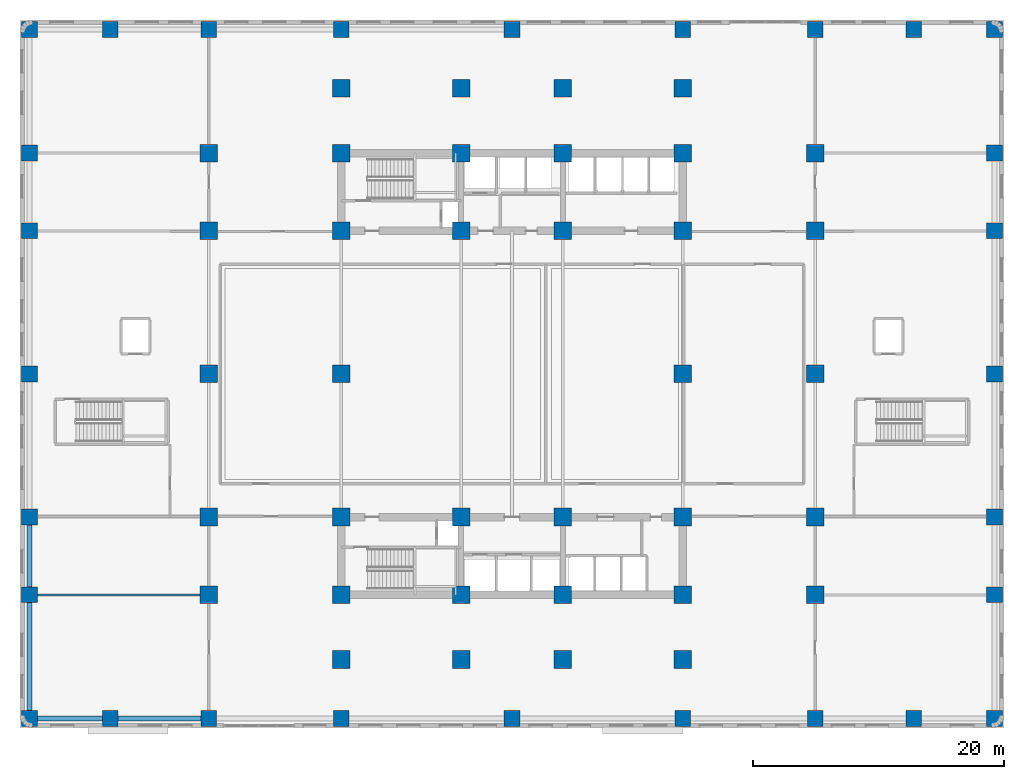
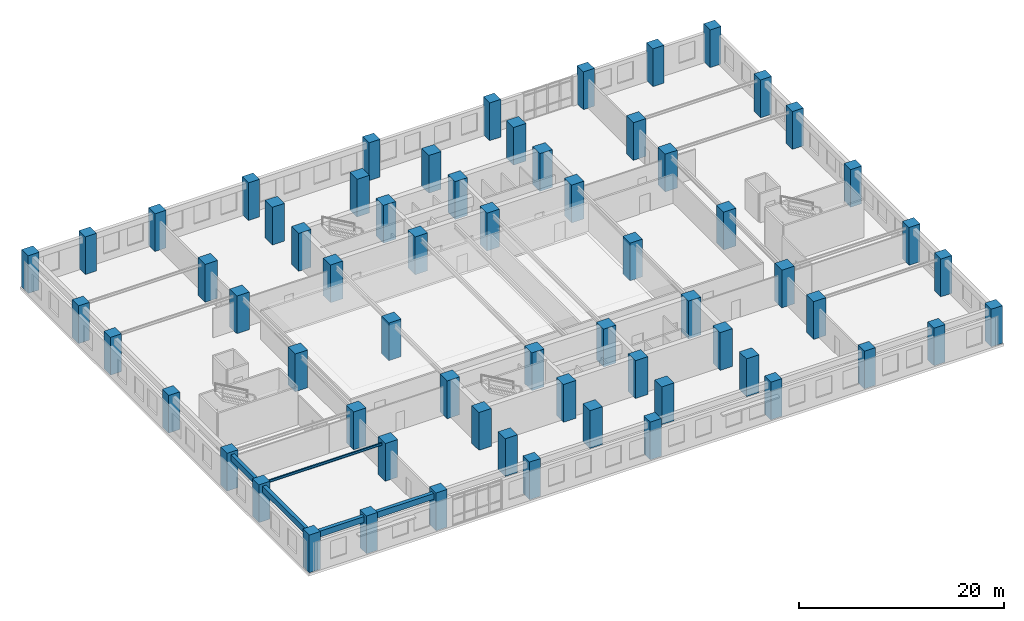
# One storey, part 1 of 16: 64 columns, 5 beams.
"""IFC4 building model written with IfcOpenShell, lengths in metres."""

from ifc_helpers import new_model, si_unit, direction, frame, origin, origin_2d, place, context, subcontext, project, spatial, rectangle, i_section, extrude, material, material_profile, profile_set, type_object, element, save


model = new_model("IFC4")

# Units and contexts
model_context = context("Model", 3, precision=1e-05, world=origin(), true_north=direction((0.0, 1.0)))
body_context = subcontext(model_context, "Body", "Model", "MODEL_VIEW")
ifc_project = project(units=[si_unit("LENGTHUNIT", "METRE"), si_unit("AREAUNIT", "SQUARE_METRE"), si_unit("VOLUMEUNIT", "CUBIC_METRE"), si_unit("PLANEANGLEUNIT", "RADIAN"), si_unit("MASSUNIT", "GRAM", prefix="KILO")], contexts=[model_context])

# Site, building, storey
site_placement = place(None, origin())
site = spatial("IfcSite", under=ifc_project, at=site_placement, CompositionType="ELEMENT")
building_placement = place(site_placement, origin())
building = spatial("IfcBuilding", under=site, at=building_placement, Name="Svetorya Sky Lyceum", CompositionType="ELEMENT")
storey_placement = place(building_placement, frame((0.0, 0.0, 11.10009765625)))
storey = spatial("IfcBuildingStorey", under=building, at=storey_placement, Name="L02", CompositionType="ELEMENT", Elevation=11.10009765625)

# Columns
ifc_material_1 = material(Name="Concrete C60/75", Category="concrete")
ifc_material_profile_1 = material_profile(ifc_material_1, rectangle(XDim=1.25, YDim=1.25, at=origin_2d()), Name="RC COL 1250x1250")
ifc_profile_set_1 = profile_set([ifc_material_profile_1], Name="Concrete C60/75")
column_type_1 = type_object("IfcColumnType", Name="COL-RC-1250", PredefinedType="COLUMN", material=ifc_profile_set_1)
for number, where, z_axis, x_axis, name in (
    (1, (0.75, 0.75, 0.0), (0.0, 0.0, 1.0), (1.0, 0.0, 0.0), "L02 Podium Column PC-0101"),
    (2, (0.75, 10.60009765625, 0.0), (0.0, 0.0, 1.0), (1.0, 0.0, 0.0), "L02 Podium Column PC-0102"),
    (3, (0.75, 16.800048828125, 0.0), (0.0, 0.0, 1.0), (1.0, 0.0, 0.0), "L02 Podium Column PC-0103"),
    (4, (0.75, 28.199951171875, 0.0), (0.0, 0.0, 1.0), (1.0, 0.0, 0.0), "L02 Podium Column PC-0104"),
    (5, (0.75, 39.60009765625, 0.0), (0.0, 0.0, 1.0), (1.0, 0.0, 0.0), "L02 Podium Column PC-0105"),
    (6, (0.75, 45.800048828125, 0.0), (0.0, 0.0, 1.0), (1.0, 0.0, 0.0), "L02 Podium Column PC-0106"),
    (7, (0.75, 55.64990234375, 0.0), (0.0, 0.0, 1.0), (1.0, 0.0, 0.0), "L02 Podium Column PC-0107"),
    (8, (7.199951171875, 0.75, 0.0), (0.0, 0.0, 1.0), (1.0, 0.0, 0.0), "L02 Podium Column PC-0201"),
    (9, (7.199951171875, 55.64990234375, 0.0), (0.0, 0.0, 1.0), (1.0, 0.0, 0.0), "L02 Podium Column PC-0207"),
    (10, (15.050048828125, 0.75, 0.0), (0.0, 0.0, 1.0), (1.0, 0.0, 0.0), "L02 Podium Column PC-0301"),
    (11, (15.050048828125, 55.64990234375, 0.0), (0.0, 0.0, 1.0), (1.0, 0.0, 0.0), "L02 Podium Column PC-0307"),
    (12, (25.60009765625, 0.75, 0.0), (0.0, 0.0, 1.0), (1.0, 0.0, 0.0), "L02 Podium Column PC-0401"),
    (13, (25.60009765625, 55.64990234375, 0.0), (0.0, 0.0, 1.0), (1.0, 0.0, 0.0), "L02 Podium Column PC-0407"),
    (14, (39.199951171875, 0.75, 0.0), (0.0, 0.0, 1.0), (1.0, 0.0, 0.0), "L02 Podium Column PC-0501"),
    (15, (39.199951171875, 55.64990234375, 0.0), (0.0, 0.0, 1.0), (1.0, 0.0, 0.0), "L02 Podium Column PC-0507"),
    (16, (52.800048828125, 0.75, 0.0), (0.0, 0.0, 1.0), (1.0, 0.0, 0.0), "L02 Podium Column PC-0601"),
    (17, (52.800048828125, 55.64990234375, 0.0), (0.0, 0.0, 1.0), (1.0, 0.0, 0.0), "L02 Podium Column PC-0607"),
    (18, (63.35009765625, 0.75, 0.0), (0.0, 0.0, 1.0), (1.0, 0.0, 0.0), "L02 Podium Column PC-0701"),
    (19, (63.35009765625, 55.64990234375, 0.0), (0.0, 0.0, 1.0), (1.0, 0.0, 0.0), "L02 Podium Column PC-0707"),
    (20, (71.199951171875, 0.75, 0.0), (0.0, 0.0, 1.0), (1.0, 0.0, 0.0), "L02 Podium Column PC-0801"),
    (21, (71.199951171875, 55.64990234375, 0.0), (0.0, 0.0, 1.0), (1.0, 0.0, 0.0), "L02 Podium Column PC-0807"),
    (22, (77.64990234375, 0.75, 0.0), (0.0, 0.0, 1.0), (1.0, 0.0, 0.0), "L02 Podium Column PC-0901"),
    (23, (77.64990234375, 10.60009765625, 0.0), (0.0, 0.0, 1.0), (1.0, 0.0, 0.0), "L02 Podium Column PC-0902"),
    (24, (77.64990234375, 16.800048828125, 0.0), (0.0, 0.0, 1.0), (1.0, 0.0, 0.0), "L02 Podium Column PC-0903"),
    (25, (77.64990234375, 28.199951171875, 0.0), (0.0, 0.0, 1.0), (1.0, 0.0, 0.0), "L02 Podium Column PC-0904"),
    (26, (77.64990234375, 39.60009765625, 0.0), (0.0, 0.0, 1.0), (1.0, 0.0, 0.0), "L02 Podium Column PC-0905"),
    (27, (77.64990234375, 45.800048828125, 0.0), (0.0, 0.0, 1.0), (1.0, 0.0, 0.0), "L02 Podium Column PC-0906"),
    (28, (77.64990234375, 55.64990234375, 0.0), (0.0, 0.0, 1.0), (1.0, 0.0, 0.0), "L02 Podium Column PC-0907"),
):
    element("IfcColumn", number, at=place(storey_placement, frame(where, z_axis=z_axis, x_axis=x_axis)), inside=storey, type_object=column_type_1, Name=name, PredefinedType="COLUMN", context=body_context, shape_type="SweptSolid", body=[
        extrude(rectangle(XDim=1.25, YDim=1.25, at=origin_2d()), origin(), (0.0, 0.0, 1.0), 4.5),
    ])
ifc_material_profile_2 = material_profile(ifc_material_1, rectangle(XDim=1.39990234375, YDim=1.39990234375, at=origin_2d()), Name="RC COL 1400x1400")
ifc_profile_set_2 = profile_set([ifc_material_profile_2], Name="Concrete C60/75")
column_type_2 = type_object("IfcColumnType", Name="COL-RC-1400", PredefinedType="COLUMN", material=ifc_profile_set_2)
for number, where, z_axis, x_axis, name in (
    (29, (25.60009765625, 10.60009765625, 0.0), (0.0, 0.0, 1.0), (1.0, 0.0, 0.0), "L02 Core Column CS-11"),
    (30, (25.60009765625, 16.800048828125, 0.0), (0.0, 0.0, 1.0), (1.0, 0.0, 0.0), "L02 Core Column CS-12"),
    (31, (35.14990234375, 10.60009765625, 0.0), (0.0, 0.0, 1.0), (1.0, 0.0, 0.0), "L02 Core Column CS-21"),
    (32, (35.14990234375, 16.800048828125, 0.0), (0.0, 0.0, 1.0), (1.0, 0.0, 0.0), "L02 Core Column CS-22"),
    (33, (43.25, 10.60009765625, 0.0), (0.0, 0.0, 1.0), (1.0, 0.0, 0.0), "L02 Core Column CS-31"),
    (34, (43.25, 16.800048828125, 0.0), (0.0, 0.0, 1.0), (1.0, 0.0, 0.0), "L02 Core Column CS-32"),
    (35, (52.800048828125, 10.60009765625, 0.0), (0.0, 0.0, 1.0), (1.0, 0.0, 0.0), "L02 Core Column CS-41"),
    (36, (52.800048828125, 16.800048828125, 0.0), (0.0, 0.0, 1.0), (1.0, 0.0, 0.0), "L02 Core Column CS-42"),
    (37, (25.60009765625, 39.60009765625, 0.0), (0.0, 0.0, 1.0), (1.0, 0.0, 0.0), "L02 Core Column CN-11"),
    (38, (25.60009765625, 45.800048828125, 0.0), (0.0, 0.0, 1.0), (1.0, 0.0, 0.0), "L02 Core Column CN-12"),
    (39, (35.14990234375, 39.60009765625, 0.0), (0.0, 0.0, 1.0), (1.0, 0.0, 0.0), "L02 Core Column CN-21"),
    (40, (35.14990234375, 45.800048828125, 0.0), (0.0, 0.0, 1.0), (1.0, 0.0, 0.0), "L02 Core Column CN-22"),
    (41, (43.25, 39.60009765625, 0.0), (0.0, 0.0, 1.0), (1.0, 0.0, 0.0), "L02 Core Column CN-31"),
    (42, (43.25, 45.800048828125, 0.0), (0.0, 0.0, 1.0), (1.0, 0.0, 0.0), "L02 Core Column CN-32"),
    (43, (52.800048828125, 39.60009765625, 0.0), (0.0, 0.0, 1.0), (1.0, 0.0, 0.0), "L02 Core Column CN-41"),
    (44, (52.800048828125, 45.800048828125, 0.0), (0.0, 0.0, 1.0), (1.0, 0.0, 0.0), "L02 Core Column CN-42"),
    (45, (25.60009765625, 28.199951171875, 0.0), (0.0, 0.0, 1.0), (1.0, 0.0, 0.0), "L02 Core Column CM-W"),
    (46, (52.800048828125, 28.199951171875, 0.0), (0.0, 0.0, 1.0), (1.0, 0.0, 0.0), "L02 Core Column CM-E"),
    (47, (25.60009765625, 5.449951171875, 0.0), (0.0, 0.0, 1.0), (1.0, 0.0, 0.0), "L02 Podium Tower-Line Column S1"),
    (48, (25.60009765625, 50.949951171875, 0.0), (0.0, 0.0, 1.0), (1.0, 0.0, 0.0), "L02 Podium Tower-Line Column N1"),
    (49, (35.14990234375, 5.449951171875, 0.0), (0.0, 0.0, 1.0), (1.0, 0.0, 0.0), "L02 Podium Tower-Line Column S2"),
    (50, (35.14990234375, 50.949951171875, 0.0), (0.0, 0.0, 1.0), (1.0, 0.0, 0.0), "L02 Podium Tower-Line Column N2"),
    (51, (43.25, 5.449951171875, 0.0), (0.0, 0.0, 1.0), (1.0, 0.0, 0.0), "L02 Podium Tower-Line Column S3"),
    (52, (43.25, 50.949951171875, 0.0), (0.0, 0.0, 1.0), (1.0, 0.0, 0.0), "L02 Podium Tower-Line Column N3"),
    (53, (52.800048828125, 5.449951171875, 0.0), (0.0, 0.0, 1.0), (1.0, 0.0, 0.0), "L02 Podium Tower-Line Column S4"),
    (54, (52.800048828125, 50.949951171875, 0.0), (0.0, 0.0, 1.0), (1.0, 0.0, 0.0), "L02 Podium Tower-Line Column N4"),
    (55, (15.050048828125, 10.60009765625, 0.0), (0.0, 0.0, 1.0), (1.0, 0.0, 0.0), "L02 Podium Tower-Line Column W1"),
    (56, (63.35009765625, 10.60009765625, 0.0), (0.0, 0.0, 1.0), (1.0, 0.0, 0.0), "L02 Podium Tower-Line Column E1"),
    (57, (15.050048828125, 16.800048828125, 0.0), (0.0, 0.0, 1.0), (1.0, 0.0, 0.0), "L02 Podium Tower-Line Column W2"),
    (58, (63.35009765625, 16.800048828125, 0.0), (0.0, 0.0, 1.0), (1.0, 0.0, 0.0), "L02 Podium Tower-Line Column E2"),
    (59, (15.050048828125, 28.199951171875, 0.0), (0.0, 0.0, 1.0), (1.0, 0.0, 0.0), "L02 Podium Tower-Line Column W3"),
    (60, (63.35009765625, 28.199951171875, 0.0), (0.0, 0.0, 1.0), (1.0, 0.0, 0.0), "L02 Podium Tower-Line Column E3"),
    (61, (15.050048828125, 39.60009765625, 0.0), (0.0, 0.0, 1.0), (1.0, 0.0, 0.0), "L02 Podium Tower-Line Column W4"),
    (62, (63.35009765625, 39.60009765625, 0.0), (0.0, 0.0, 1.0), (1.0, 0.0, 0.0), "L02 Podium Tower-Line Column E4"),
    (63, (15.050048828125, 45.800048828125, 0.0), (0.0, 0.0, 1.0), (1.0, 0.0, 0.0), "L02 Podium Tower-Line Column W5"),
    (64, (63.35009765625, 45.800048828125, 0.0), (0.0, 0.0, 1.0), (1.0, 0.0, 0.0), "L02 Podium Tower-Line Column E5"),
):
    element("IfcColumn", number, at=place(storey_placement, frame(where, z_axis=z_axis, x_axis=x_axis)), inside=storey, type_object=column_type_2, Name=name, PredefinedType="COLUMN", context=body_context, shape_type="SweptSolid", body=[
        extrude(rectangle(XDim=1.39990234375, YDim=1.39990234375, at=origin_2d()), origin(), (0.0, 0.0, 1.0), 4.5),
    ])

# Beams
ifc_material_2 = material(Name="Concrete C50/60", Category="concrete")
ifc_material_profile_3 = material_profile(ifc_material_2, rectangle(XDim=0.39990234375, YDim=0.699951171875, at=origin_2d()), Name="RC SPANDREL 400x700")
ifc_profile_set_3 = profile_set([ifc_material_profile_3], Name="Concrete C50/60")
beam_type_1 = type_object("IfcBeamType", Name="BM-SPN-700", PredefinedType="SPANDREL", material=ifc_profile_set_3)
beam_1_placement = place(storey_placement, frame((0.75, 0.75, 3.849853515625), z_axis=(1.0, 0.0, 0.0), x_axis=(0.0, 1.0, 0.0)))
element("IfcBeam", 65, at=beam_1_placement, inside=storey, type_object=beam_type_1, Name="L02 Podium South Spandrel 1", PredefinedType="SPANDREL", context=body_context, shape_type="SweptSolid", body=[
    extrude(rectangle(XDim=0.39990234375, YDim=0.699951171875, at=origin_2d()), origin(), (0.0, 0.0, 1.0), 6.449951171875),
])
beam_2_placement = place(storey_placement, frame((7.199951171875, 0.75, 3.849853515625), z_axis=(1.0, 0.0, 0.0), x_axis=(0.0, 1.0, 0.0)))
element("IfcBeam", 66, at=beam_2_placement, inside=storey, type_object=beam_type_1, Name="L02 Podium South Spandrel 2", PredefinedType="SPANDREL", context=body_context, shape_type="SweptSolid", body=[
    extrude(rectangle(XDim=0.39990234375, YDim=0.699951171875, at=origin_2d()), origin(), (0.0, 0.0, 1.0), 7.85009765625),
])
beam_3_placement = place(storey_placement, frame((0.75, 0.75, 3.849853515625), z_axis=(0.0, 1.0, 0.0), x_axis=(-1.0, 0.0, 0.0)))
element("IfcBeam", 67, at=beam_3_placement, inside=storey, type_object=beam_type_1, Name="L02 Podium West Spandrel 1", PredefinedType="SPANDREL", context=body_context, shape_type="SweptSolid", body=[
    extrude(rectangle(XDim=0.39990234375, YDim=0.699951171875, at=origin_2d()), origin(), (0.0, 0.0, 1.0), 9.85009765625),
])
beam_4_placement = place(storey_placement, frame((0.75, 10.60009765625, 3.849853515625), z_axis=(0.0, 1.0, 0.0), x_axis=(-1.0, 0.0, 0.0)))
element("IfcBeam", 68, at=beam_4_placement, inside=storey, type_object=beam_type_1, Name="L02 Podium West Spandrel 2", PredefinedType="SPANDREL", context=body_context, shape_type="SweptSolid", body=[
    extrude(rectangle(XDim=0.39990234375, YDim=0.699951171875, at=origin_2d()), origin(), (0.0, 0.0, 1.0), 6.199951171875),
])
ifc_material_3 = material(Name="Steel S355", Category="steel")
ifc_material_profile_4 = material_profile(ifc_material_3, i_section(OverallWidth=0.14990234375, OverallDepth=0.299072265625, WebThickness=0.006591796875, FlangeThickness=0.010498046875, at=origin_2d()), Name="GOST 30B2")
ifc_profile_set_4 = profile_set([ifc_material_profile_4], Name="Steel S355")
beam_type_2 = type_object("IfcBeamType", Name="BM-STL-30B2", PredefinedType="JOIST", material=ifc_profile_set_4)
beam_5_placement = place(storey_placement, frame((0.75, 10.60009765625, 4.05029296875), z_axis=(1.0, 0.0, 0.0), x_axis=(0.0, 1.0, 0.0)))
element("IfcBeam", 69, at=beam_5_placement, inside=storey, type_object=beam_type_2, Name="L02 Podium Wing Joist W1", PredefinedType="JOIST", context=body_context, shape_type="SweptSolid", body=[
    extrude(i_section(OverallWidth=0.14990234375, OverallDepth=0.299072265625, WebThickness=0.006591796875, FlangeThickness=0.010498046875, at=origin_2d()), origin(), (0.0, 0.0, 1.0), 14.300048828125),
])

save(model, "model.ifc")
